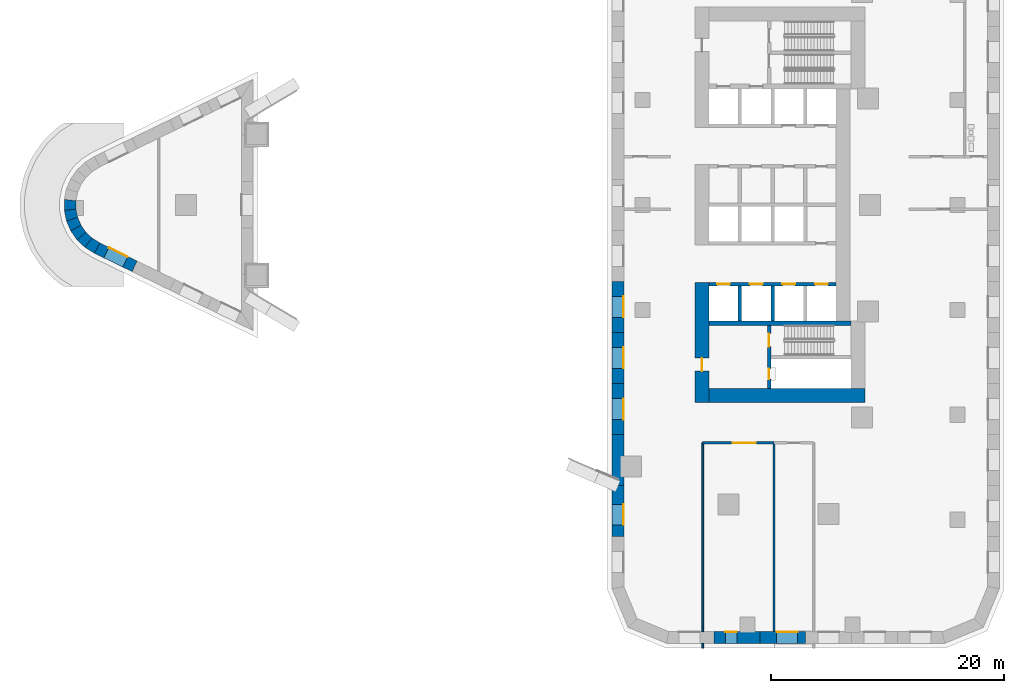
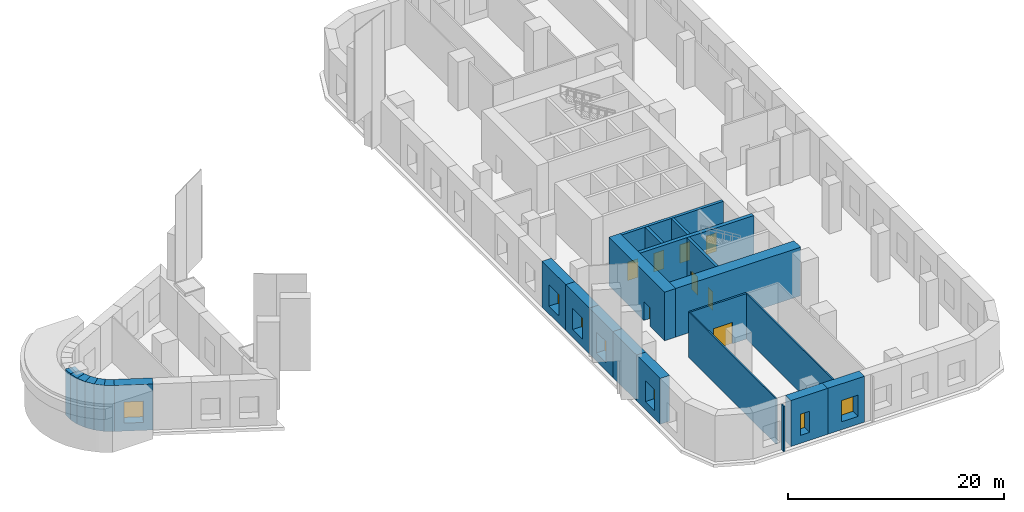
# One storey, part 2 of 13: 25 walls, 8 doors, 7 windows, 15 openings.
"""IFC4 building model written with IfcOpenShell, lengths in metres."""

from ifc_helpers import new_model, si_unit, direction, frame, frame_2d, origin, place, context, subcontext, project, spatial, polyline, rectangle, outline, extrude, material, layer, layer_set, type_object, element, fill, save


model = new_model("IFC4")

# Units and contexts
model_context = context("Model", 3, precision=1e-05, world=origin(), true_north=direction((0.0, 1.0)))
body_context = subcontext(model_context, "Body", "Model", "MODEL_VIEW")
ifc_project = project(units=[si_unit("LENGTHUNIT", "METRE"), si_unit("AREAUNIT", "SQUARE_METRE"), si_unit("VOLUMEUNIT", "CUBIC_METRE"), si_unit("PLANEANGLEUNIT", "RADIAN"), si_unit("MASSUNIT", "GRAM", prefix="KILO")], contexts=[model_context])

# Site, building, storey
site_placement = place(None, origin())
site = spatial("IfcSite", under=ifc_project, at=site_placement, CompositionType="ELEMENT")
building_placement = place(site_placement, origin())
building = spatial("IfcBuilding", under=site, at=building_placement, Name="Ostrand Prow Hotel Tower", CompositionType="ELEMENT")
storey_placement = place(building_placement, frame((0.0, 0.0, 13.5)))
storey = spatial("IfcBuildingStorey", under=building, at=storey_placement, Name="L02", CompositionType="ELEMENT", Elevation=13.5)

# Wall, opening, door
ifc_material_1 = material(Name="Concrete C80/95", Category="concrete")
ifc_layer_1 = layer(ifc_material_1, 1.199951171875)
ifc_layer_set_1 = layer_set([ifc_layer_1], Name="Concrete C80/95")
wall_type_1 = type_object("IfcWallType", Name="Core wall 1200 C80/95", PredefinedType="SHEAR", material=ifc_layer_set_1)
wall_1_placement = place(storey_placement, frame((50.10009765625, -16.949951171875, 0.0), z_axis=(0.0, 0.0, 1.0), x_axis=(0.0, 1.0, 0.0)))
wall_1 = element("IfcWall", 1, at=wall_1_placement, inside=storey, type_object=wall_type_1, Name="Core wall CW-W-S", PredefinedType="SHEAR", context=body_context, shape_type="SweptSolid", body=[
    extrude(rectangle(XDim=10.300048828125, YDim=1.199951171875, at=frame_2d((5.14990234375, 0.0))), origin(), (0.0, 0.0, 1.0), 5.5),
])
opening_1_placement = place(wall_1_placement, frame((2.699951171875, 0.0, 0.0)))
opening_1 = element("IfcOpeningElement", 2, at=opening_1_placement, cuts=wall_1, Name="Opening FD1", PredefinedType="OPENING", context=body_context, shape_type="SweptSolid", body=[
    extrude(rectangle(XDim=1.10009765625, YDim=2.10009765625, at=frame_2d((0.550048828125, 1.050048828125))), frame((0.0, 0.60986328125, 0.0), z_axis=(0.0, -1.0, 0.0), x_axis=(1.0, 0.0, 0.0)), (0.0, 0.0, 1.0), 1.219970703125),
])
ifc_material_2 = material(Name="Steel fire door", Category="steel")
door_type_1 = type_object("IfcDoorType", Name="Fire door 1100 EI120", OperationType="SINGLE_SWING_RIGHT", PredefinedType="DOOR", material=ifc_material_2)
door_1_placement = place(opening_1_placement, origin())
door_1 = element("IfcDoor", 3, at=door_1_placement, inside=storey, type_object=door_type_1, Name="FIRE DOOR", OperationType="SINGLE_SWING_RIGHT", OverallHeight=2.10009765625, OverallWidth=1.10009765625, PredefinedType="DOOR", context=body_context, shape_type="SweptSolid", body=[
    extrude(rectangle(XDim=1.10009765625, YDim=2.10009765625, at=frame_2d((0.550048828125, 1.050048828125))), frame((0.0, 0.02490234375, 0.0), z_axis=(0.0, -1.0, 0.0), x_axis=(1.0, 0.0, 0.0)), (0.0, 0.0, 1.0), 0.050048828125),
])
fill(opening_1, door_1)

# Wall
wall_2_placement = place(storey_placement, frame((50.699951171875, -16.35009765625, 0.0), z_axis=(0.0, 0.0, 1.0), x_axis=(1.0, 0.0, 0.0)))
element("IfcWall", 4, at=wall_2_placement, inside=storey, type_object=wall_type_1, Name="Core wall CW-S", PredefinedType="SHEAR", context=body_context, shape_type="SweptSolid", body=[
    extrude(rectangle(XDim=13.380126953125, YDim=1.199951171875, at=frame_2d((6.68994140625, 0.0))), origin(), (0.0, 0.0, 1.0), 5.5),
])

# Wall, openings, doors
ifc_material_3 = material(Name="Concrete C80/95", Category="concrete")
ifc_layer_2 = layer(ifc_material_3, 0.300048828125)
ifc_layer_set_2 = layer_set([ifc_layer_2], Name="Concrete C80/95")
wall_type_2 = type_object("IfcWallType", Name="Core wall 300 C80/95", PredefinedType="SHEAR", material=ifc_layer_set_2)
wall_3_placement = place(storey_placement, frame((50.699951171875, -6.800048828125, 0.0), z_axis=(0.0, 0.0, 1.0), x_axis=(1.0, 0.0, 0.0)))
wall_3 = element("IfcWall", 5, at=wall_3_placement, inside=storey, type_object=wall_type_2, Name="Core wall PW-L2-S", PredefinedType="SHEAR", context=body_context, shape_type="SweptSolid", body=[
    extrude(rectangle(XDim=10.900146484375, YDim=0.300048828125, at=frame_2d((5.4501953125, 0.0))), origin(), (0.0, 0.0, 1.0), 5.5),
])
opening_2_placement = place(wall_3_placement, frame((0.699951171875, 0.0, 0.0)))
opening_2 = element("IfcOpeningElement", 6, at=opening_2_placement, cuts=wall_3, Name="Opening LD", PredefinedType="OPENING", context=body_context, shape_type="SweptSolid", body=[
    extrude(rectangle(XDim=1.10009765625, YDim=2.10009765625, at=frame_2d((0.550048828125, 1.050048828125))), frame((0.0, 0.159912109375, 0.0), z_axis=(0.0, -1.0, 0.0), x_axis=(1.0, 0.0, 0.0)), (0.0, 0.0, 1.0), 0.320068359375),
])
opening_3_placement = place(wall_3_placement, frame((3.5, 0.0, 0.0)))
opening_3 = element("IfcOpeningElement", 7, at=opening_3_placement, cuts=wall_3, Name="Opening LD", PredefinedType="OPENING", context=body_context, shape_type="SweptSolid", body=[
    extrude(rectangle(XDim=1.10009765625, YDim=2.10009765625, at=frame_2d((0.550048828125, 1.050048828125))), frame((0.0, 0.159912109375, 0.0), z_axis=(0.0, -1.0, 0.0), x_axis=(1.0, 0.0, 0.0)), (0.0, 0.0, 1.0), 0.320068359375),
])
opening_4_placement = place(wall_3_placement, frame((6.300048828125, 0.0, 0.0)))
opening_4 = element("IfcOpeningElement", 8, at=opening_4_placement, cuts=wall_3, Name="Opening LD", PredefinedType="OPENING", context=body_context, shape_type="SweptSolid", body=[
    extrude(rectangle(XDim=1.10009765625, YDim=2.10009765625, at=frame_2d((0.550048828125, 1.050048828125))), frame((0.0, 0.159912109375, 0.0), z_axis=(0.0, -1.0, 0.0), x_axis=(1.0, 0.0, 0.0)), (0.0, 0.0, 1.0), 0.320068359375),
])
opening_5_placement = place(wall_3_placement, frame((9.10009765625, 0.0, 0.0)))
opening_5 = element("IfcOpeningElement", 9, at=opening_5_placement, cuts=wall_3, Name="Opening LD", PredefinedType="OPENING", context=body_context, shape_type="SweptSolid", body=[
    extrude(rectangle(XDim=1.10009765625, YDim=2.10009765625, at=frame_2d((0.550048828125, 1.050048828125))), frame((0.0, 0.159912109375, 0.0), z_axis=(0.0, -1.0, 0.0), x_axis=(1.0, 0.0, 0.0)), (0.0, 0.0, 1.0), 0.320068359375),
])
ifc_material_4 = material(Name="Stainless steel door", Category="steel")
door_type_2 = type_object("IfcDoorType", Name="Lift landing door 1100", OperationType="DOUBLE_DOOR_SLIDING", PredefinedType="DOOR", material=ifc_material_4)
door_2_placement = place(opening_2_placement, origin())
door_2 = element("IfcDoor", 10, at=door_2_placement, inside=storey, type_object=door_type_2, Name="LIFT LANDING DOOR", OperationType="DOUBLE_DOOR_SLIDING", OverallHeight=2.10009765625, OverallWidth=1.10009765625, PredefinedType="DOOR", context=body_context, shape_type="SweptSolid", body=[
    extrude(rectangle(XDim=1.10009765625, YDim=2.10009765625, at=frame_2d((0.550048828125, 1.050048828125))), frame((0.0, 0.02490234375, 0.0), z_axis=(0.0, -1.0, 0.0), x_axis=(1.0, 0.0, 0.0)), (0.0, 0.0, 1.0), 0.050048828125),
])
fill(opening_2, door_2)
door_3_placement = place(opening_3_placement, origin())
door_3 = element("IfcDoor", 11, at=door_3_placement, inside=storey, type_object=door_type_2, Name="LIFT LANDING DOOR", OperationType="DOUBLE_DOOR_SLIDING", OverallHeight=2.10009765625, OverallWidth=1.10009765625, PredefinedType="DOOR", context=body_context, shape_type="SweptSolid", body=[
    extrude(rectangle(XDim=1.10009765625, YDim=2.10009765625, at=frame_2d((0.550048828125, 1.050048828125))), frame((0.0, 0.02490234375, 0.0), z_axis=(0.0, -1.0, 0.0), x_axis=(1.0, 0.0, 0.0)), (0.0, 0.0, 1.0), 0.050048828125),
])
fill(opening_3, door_3)
door_4_placement = place(opening_4_placement, origin())
door_4 = element("IfcDoor", 12, at=door_4_placement, inside=storey, type_object=door_type_2, Name="LIFT LANDING DOOR", OperationType="DOUBLE_DOOR_SLIDING", OverallHeight=2.10009765625, OverallWidth=1.10009765625, PredefinedType="DOOR", context=body_context, shape_type="SweptSolid", body=[
    extrude(rectangle(XDim=1.10009765625, YDim=2.10009765625, at=frame_2d((0.550048828125, 1.050048828125))), frame((0.0, 0.02490234375, 0.0), z_axis=(0.0, -1.0, 0.0), x_axis=(1.0, 0.0, 0.0)), (0.0, 0.0, 1.0), 0.050048828125),
])
fill(opening_4, door_4)
door_5_placement = place(opening_5_placement, origin())
door_5 = element("IfcDoor", 13, at=door_5_placement, inside=storey, type_object=door_type_2, Name="LIFT LANDING DOOR", OperationType="DOUBLE_DOOR_SLIDING", OverallHeight=2.10009765625, OverallWidth=1.10009765625, PredefinedType="DOOR", context=body_context, shape_type="SweptSolid", body=[
    extrude(rectangle(XDim=1.10009765625, YDim=2.10009765625, at=frame_2d((0.550048828125, 1.050048828125))), frame((0.0, 0.02490234375, 0.0), z_axis=(0.0, -1.0, 0.0), x_axis=(1.0, 0.0, 0.0)), (0.0, 0.0, 1.0), 0.050048828125),
])
fill(opening_5, door_5)

# Walls
for number, where, z_axis, x_axis, name in (
    (14, (53.35009765625, -9.949951171875, 0.0), (0.0, 0.0, 1.0), (0.0, 1.0, 0.0), "Core wall PW-R1-SA"),
    (15, (56.14990234375, -9.949951171875, 0.0), (0.0, 0.0, 1.0), (0.0, 1.0, 0.0), "Core wall PW-R2-SA"),
):
    element("IfcWall", number, at=place(storey_placement, frame(where, z_axis=z_axis, x_axis=x_axis)), inside=storey, type_object=wall_type_2, Name=name, PredefinedType="SHEAR", context=body_context, shape_type="SweptSolid", body=[
        extrude(rectangle(XDim=3.0, YDim=0.300048828125, at=frame_2d((1.5, 0.0))), origin(), (0.0, 0.0, 1.0), 5.5),
    ])

# Wall, openings, doors
wall_4_placement = place(storey_placement, frame((55.85009765625, -15.75, 0.0), z_axis=(0.0, 0.0, 1.0), x_axis=(0.0, 1.0, 0.0)))
wall_4 = element("IfcWall", 16, at=wall_4_placement, inside=storey, type_object=wall_type_2, Name="Core wall PW-VS", PredefinedType="SHEAR", context=body_context, shape_type="SweptSolid", body=[
    extrude(rectangle(XDim=5.39990234375, YDim=0.300048828125, at=frame_2d((2.699951171875, 0.0))), origin(), (0.0, 0.0, 1.0), 5.5),
])
opening_6_placement = place(wall_4_placement, frame((3.60009765625, 0.0, 0.0)))
opening_6 = element("IfcOpeningElement", 17, at=opening_6_placement, cuts=wall_4, Name="Opening FD1", PredefinedType="OPENING", context=body_context, shape_type="SweptSolid", body=[
    extrude(rectangle(XDim=1.10009765625, YDim=2.10009765625, at=frame_2d((0.550048828125, 1.050048828125))), frame((0.0, 0.159912109375, 0.0), z_axis=(0.0, -1.0, 0.0), x_axis=(1.0, 0.0, 0.0)), (0.0, 0.0, 1.0), 0.320068359375),
])
opening_7_placement = place(wall_4_placement, frame((0.800048828125, 0.0, 0.0)))
opening_7 = element("IfcOpeningElement", 18, at=opening_7_placement, cuts=wall_4, Name="Opening FD2", PredefinedType="OPENING", context=body_context, shape_type="SweptSolid", body=[
    extrude(rectangle(XDim=0.89990234375, YDim=2.10009765625, at=frame_2d((0.449951171875, 1.050048828125))), frame((0.0, 0.159912109375, 0.0), z_axis=(0.0, -1.0, 0.0), x_axis=(1.0, 0.0, 0.0)), (0.0, 0.0, 1.0), 0.320068359375),
])
door_6_placement = place(opening_6_placement, origin())
door_6 = element("IfcDoor", 19, at=door_6_placement, inside=storey, type_object=door_type_1, Name="FIRE DOOR", OperationType="SINGLE_SWING_RIGHT", OverallHeight=2.10009765625, OverallWidth=1.10009765625, PredefinedType="DOOR", context=body_context, shape_type="SweptSolid", body=[
    extrude(rectangle(XDim=1.10009765625, YDim=2.10009765625, at=frame_2d((0.550048828125, 1.050048828125))), frame((0.0, 0.02490234375, 0.0), z_axis=(0.0, -1.0, 0.0), x_axis=(1.0, 0.0, 0.0)), (0.0, 0.0, 1.0), 0.050048828125),
])
fill(opening_6, door_6)
ifc_material_5 = material(Name="Steel fire door", Category="steel")
door_type_3 = type_object("IfcDoorType", Name="Fire door 900 EI120", OperationType="SINGLE_SWING_LEFT", PredefinedType="DOOR", material=ifc_material_5)
door_7_placement = place(opening_7_placement, origin())
door_7 = element("IfcDoor", 20, at=door_7_placement, inside=storey, type_object=door_type_3, Name="FIRE DOOR", OperationType="SINGLE_SWING_LEFT", OverallHeight=2.10009765625, OverallWidth=0.89990234375, PredefinedType="DOOR", context=body_context, shape_type="SweptSolid", body=[
    extrude(rectangle(XDim=0.89990234375, YDim=2.10009765625, at=frame_2d((0.449951171875, 1.050048828125))), frame((0.0, 0.02490234375, 0.0), z_axis=(0.0, -1.0, 0.0), x_axis=(1.0, 0.0, 0.0)), (0.0, 0.0, 1.0), 0.050048828125),
])
fill(opening_7, door_7)

# Walls
ifc_material_6 = material(Name="Concrete C80/95", Category="concrete")
ifc_layer_3 = layer(ifc_material_6, 0.39990234375)
ifc_layer_set_3 = layer_set([ifc_layer_3], Name="Concrete C80/95")
wall_type_3 = type_object("IfcWallType", Name="Core wall 400 C80/95", PredefinedType="SHEAR", material=ifc_layer_set_3)
wall_5_placement = place(storey_placement, frame((50.699951171875, -10.14990234375, 0.0), z_axis=(0.0, 0.0, 1.0), x_axis=(1.0, 0.0, 0.0)))
element("IfcWall", 21, at=wall_5_placement, inside=storey, type_object=wall_type_3, Name="Core wall PW-BS", PredefinedType="SHEAR", context=body_context, shape_type="SweptSolid", body=[
    extrude(rectangle(XDim=12.179931640625, YDim=0.39990234375, at=frame_2d((6.08984375, 0.0))), origin(), (0.0, 0.0, 1.0), 5.5),
])
ifc_material_7 = material(Name="Plasterboard partition")
ifc_layer_4 = layer(ifc_material_7, 0.14990234375)
ifc_layer_set_4 = layer_set([ifc_layer_4], Name="Plasterboard partition")
wall_type_4 = type_object("IfcWallType", Name="Partition 150 room partition", PredefinedType="PARTITIONING", material=ifc_layer_set_4)
wall_6_placement = place(storey_placement, frame((50.159912109375, -38.0, 0.0), z_axis=(0.0, 0.0, 1.0), x_axis=(0.0, 1.0, 0.0)))
element("IfcWall", 22, at=wall_6_placement, inside=storey, type_object=wall_type_4, Name="ROOM PARTITION", PredefinedType="PARTITIONING", context=body_context, shape_type="SweptSolid", body=[
    extrude(rectangle(XDim=0.39990234375, YDim=0.14990234375, at=frame_2d((0.199951171875, 0.0))), origin(), (0.0, 0.0, 1.0), 5.14990234375),
])
wall_7_placement = place(storey_placement, frame((50.159912109375, -36.60009765625, 0.0), z_axis=(0.0, 0.0, 1.0), x_axis=(0.0, 1.0, 0.0)))
element("IfcWall", 23, at=wall_7_placement, inside=storey, type_object=wall_type_4, Name="ROOM PARTITION", PredefinedType="PARTITIONING", context=body_context, shape_type="SweptSolid", body=[
    extrude(rectangle(XDim=16.2001953125, YDim=0.14990234375, at=frame_2d((8.10009765625, 0.0))), origin(), (0.0, 0.0, 1.0), 5.14990234375),
])
wall_8_placement = place(storey_placement, frame((56.280029296875, -36.570068359375, 0.0), z_axis=(0.0, 0.0, 1.0), x_axis=(0.0, 1.0, 0.0)))
element("IfcWall", 24, at=wall_8_placement, inside=storey, type_object=wall_type_4, Name="ROOM PARTITION", PredefinedType="PARTITIONING", context=body_context, shape_type="SweptSolid", body=[
    extrude(rectangle(XDim=16.170166015625, YDim=0.14990234375, at=frame_2d((8.0849609375, 0.0))), origin(), (0.0, 0.0, 1.0), 5.14990234375),
])

# Wall, opening, door
ifc_material_8 = material(Name="Plasterboard partition")
ifc_layer_5 = layer(ifc_material_8, 0.199951171875)
ifc_layer_set_5 = layer_set([ifc_layer_5], Name="Plasterboard partition")
wall_type_5 = type_object("IfcWallType", Name="Partition 200 corridor wall", PredefinedType="PARTITIONING", material=ifc_layer_set_5)
wall_9_placement = place(storey_placement, frame((50.159912109375, -20.39990234375, 0.0), z_axis=(0.0, 0.0, 1.0), x_axis=(1.0, 0.0, 0.0)))
wall_9 = element("IfcWall", 25, at=wall_9_placement, inside=storey, type_object=wall_type_5, Name="CORRIDOR WALL", PredefinedType="PARTITIONING", context=body_context, shape_type="SweptSolid", body=[
    extrude(rectangle(XDim=6.1201171875, YDim=0.199951171875, at=frame_2d((3.06005859375, 0.0))), origin(), (0.0, 0.0, 1.0), 5.14990234375),
])
opening_8_placement = place(wall_9_placement, frame((2.56005859375, 0.0, 0.0)))
opening_8 = element("IfcOpeningElement", 26, at=opening_8_placement, cuts=wall_9, Name="Opening D20", PredefinedType="OPENING", context=body_context, shape_type="SweptSolid", body=[
    extrude(rectangle(XDim=2.0, YDim=2.39990234375, at=frame_2d((1.0, 1.199951171875))), frame((0.0, 0.10986328125, 0.0), z_axis=(0.0, -1.0, 0.0), x_axis=(1.0, 0.0, 0.0)), (0.0, 0.0, 1.0), 0.219970703125),
])
ifc_material_9 = material(Name="Timber door leaf", Category="wood")
door_type_4 = type_object("IfcDoorType", Name="Double door 2000", OperationType="DOUBLE_DOOR_SINGLE_SWING", PredefinedType="DOOR", material=ifc_material_9)
door_8_placement = place(opening_8_placement, origin())
door_8 = element("IfcDoor", 27, at=door_8_placement, inside=storey, type_object=door_type_4, Name="DOOR", OperationType="DOUBLE_DOOR_SINGLE_SWING", OverallHeight=2.39990234375, OverallWidth=2.0, PredefinedType="DOOR", context=body_context, shape_type="SweptSolid", body=[
    extrude(rectangle(XDim=2.0, YDim=2.39990234375, at=frame_2d((1.0, 1.199951171875))), frame((0.0, 0.02490234375, 0.0), z_axis=(0.0, -1.0, 0.0), x_axis=(1.0, 0.0, 0.0)), (0.0, 0.0, 1.0), 0.050048828125),
])
fill(opening_8, door_8)

# Walls
ifc_material_10 = material(Name="Precast concrete C40/50", Category="concrete")
ifc_layer_6 = layer(ifc_material_10, 1.0)
ifc_layer_set_6 = layer_set([ifc_layer_6], Name="Precast concrete C40/50")
wall_type_6 = type_object("IfcWallType", Name="Portal pier wall 1000 mm", PredefinedType="NOTDEFINED", material=ifc_layer_set_6)
wall_10_placement = place(storey_placement, frame((-4.07421875, 0.415283203125, 0.0), z_axis=(0.0, 0.0, 1.0), x_axis=(0.0, -1.0, 0.0)))
element("IfcWall", 28, at=wall_10_placement, inside=storey, type_object=wall_type_6, Name="Portal pier wall L02-PP014", PredefinedType="NOTDEFINED", context=body_context, shape_type="SweptSolid", body=[
    extrude(outline(polyline([(-0.051025390625, -0.5), (0.881591796875, -0.5), (0.779541015625, 0.5), (0.051025390625, 0.5), (-0.051025390625, -0.5)])), origin(), (0.0, 0.0, 1.0), 5.199951171875),
])
wall_11_placement = place(storey_placement, frame((-4.07421875, -0.415283203125, 0.0), z_axis=(0.0, 0.0, 1.0), x_axis=(0.201710996138, -0.979445084748, 0.0)))
element("IfcWall", 29, at=wall_11_placement, inside=storey, type_object=wall_type_6, Name="Portal pier wall L02-PP015", PredefinedType="NOTDEFINED", context=body_context, shape_type="SweptSolid", body=[
    extrude(outline(polyline([(-0.051025390625, -0.5), (0.88134765625, -0.5), (0.779296875, 0.5), (0.051025390625, 0.5), (-0.051025390625, -0.5)])), origin(), (0.0, 0.0, 1.0), 5.199951171875),
])
wall_12_placement = place(storey_placement, frame((-3.90673828125, -1.228515625, 0.0), z_axis=(0.0, 0.0, 1.0), x_axis=(0.395089773053, -0.91864251547, 0.0)))
element("IfcWall", 30, at=wall_12_placement, inside=storey, type_object=wall_type_6, Name="Portal pier wall L02-PP016", PredefinedType="NOTDEFINED", context=body_context, shape_type="SweptSolid", body=[
    extrude(outline(polyline([(-0.051025390625, -0.5), (0.881591796875, -0.5), (0.779541015625, 0.5), (0.051025390625, 0.5), (-0.051025390625, -0.5)])), origin(), (0.0, 0.0, 1.0), 5.199951171875),
])
wall_13_placement = place(storey_placement, frame((-3.57861328125, -1.991455078125, 0.0), z_axis=(0.0, 0.0, 1.0), x_axis=(0.572416108775, -0.819963290895, 0.0)))
element("IfcWall", 31, at=wall_13_placement, inside=storey, type_object=wall_type_6, Name="Portal pier wall L02-PP017", PredefinedType="NOTDEFINED", context=body_context, shape_type="SweptSolid", body=[
    extrude(outline(polyline([(-0.051025390625, -0.5), (0.88134765625, -0.5), (0.779296875, 0.5), (0.051025390625, 0.5), (-0.051025390625, -0.5)])), origin(), (0.0, 0.0, 1.0), 5.199951171875),
])
wall_14_placement = place(storey_placement, frame((-3.103271484375, -2.67236328125, 0.0), z_axis=(0.0, 0.0, 1.0), x_axis=(0.726099436492, -0.687589709293, 0.0)))
element("IfcWall", 32, at=wall_14_placement, inside=storey, type_object=wall_type_6, Name="Portal pier wall L02-PP018", PredefinedType="NOTDEFINED", context=body_context, shape_type="SweptSolid", body=[
    extrude(outline(polyline([(-0.051025390625, -0.5), (0.881591796875, -0.5), (0.779541015625, 0.5), (0.051025390625, 0.5), (-0.051025390625, -0.5)])), origin(), (0.0, 0.0, 1.0), 5.199951171875),
])
wall_15_placement = place(storey_placement, frame((-2.500244140625, -3.243408203125, 0.0), z_axis=(0.0, 0.0, 1.0), x_axis=(0.849777890555, -0.527140907846, 0.0)))
element("IfcWall", 33, at=wall_15_placement, inside=storey, type_object=wall_type_6, Name="Portal pier wall L02-PP019", PredefinedType="NOTDEFINED", context=body_context, shape_type="SweptSolid", body=[
    extrude(outline(polyline([(-0.051025390625, -0.5), (0.901611328125, -0.5), (0.850830078125, 0.5), (0.051025390625, 0.5), (-0.051025390625, -0.5)])), origin(), (0.0, 0.0, 1.0), 5.199951171875),
])

# Wall, opening, window
wall_16_placement = place(storey_placement, frame((-1.755615234375, -3.705322265625, 0.0), z_axis=(0.0, 0.0, 1.0), x_axis=(0.898874723623, -0.438205695117, 0.0)))
wall_16 = element("IfcWall", 34, at=wall_16_placement, inside=storey, type_object=wall_type_6, Name="Portal pier wall L02-PP020", PredefinedType="NOTDEFINED", context=body_context, shape_type="SweptSolid", body=[
    extrude(outline(polyline([(-0.025390625, -0.5), (3.57568359375, -0.5), (3.57568359375, 0.5), (0.025390625, 0.5), (-0.025390625, -0.5)])), origin(), (0.0, 0.0, 1.0), 5.199951171875),
])
opening_9_placement = place(wall_16_placement, frame((0.8876953125, 0.0, 0.89990234375)))
opening_9 = element("IfcOpeningElement", 35, at=opening_9_placement, cuts=wall_16, Name="Opening WP2", PredefinedType="OPENING", context=body_context, shape_type="SweptSolid", body=[
    extrude(rectangle(XDim=1.800048828125, YDim=2.39990234375, at=frame_2d((0.89990234375, 1.199951171875))), frame((0.0, 0.510009765625, 0.0), z_axis=(0.0, -1.0, 0.0), x_axis=(1.0, 0.0, 0.0)), (0.0, 0.0, 1.0), 1.02001953125),
])
ifc_material_11 = material(Name="Insulated glass in bronze anodised frame", Category="glass")
window_type = type_object("IfcWindowType", Name="Portal window 1800x2400", PartitioningType="SINGLE_PANEL", PredefinedType="WINDOW", material=ifc_material_11)
window_1_placement = place(opening_9_placement, origin())
window_1 = element("IfcWindow", 36, at=window_1_placement, inside=storey, type_object=window_type, Name="Portal window L02-PP020", OverallHeight=2.39990234375, OverallWidth=1.800048828125, PartitioningType="SINGLE_PANEL", PredefinedType="WINDOW", context=body_context, shape_type="SweptSolid", body=[
    extrude(rectangle(XDim=1.800048828125, YDim=2.39990234375, at=frame_2d((0.89990234375, 1.199951171875))), frame((0.0, 0.5, 0.0), z_axis=(0.0, -1.0, 0.0), x_axis=(1.0, 0.0, 0.0)), (0.0, 0.0, 1.0), 0.06005859375),
])
fill(opening_9, window_1)

wall_17_placement = place(storey_placement, frame((51.119384765625, -37.10009765625, 0.0), z_axis=(0.0, 0.0, 1.0), x_axis=(1.0, 0.0, 0.0)))
wall_17 = element("IfcWall", 37, at=wall_17_placement, inside=storey, type_object=wall_type_6, Name="Portal pier wall L02-PP101", PredefinedType="NOTDEFINED", context=body_context, shape_type="SweptSolid", body=[
    extrude(outline(polyline([(0.0, -0.5), (3.9404296875, -0.5), (3.9404296875, 0.5), (0.0, 0.5), (0.0, -0.5)])), origin(), (0.0, 0.0, 1.0), 5.199951171875),
])
opening_10_placement = place(wall_17_placement, frame((1.0, 0.0, 0.89990234375)))
opening_10 = element("IfcOpeningElement", 38, at=opening_10_placement, cuts=wall_17, Name="Opening WP2", PredefinedType="OPENING", context=body_context, shape_type="SweptSolid", body=[
    extrude(rectangle(XDim=0.980712890625, YDim=2.39990234375, at=frame_2d((0.490234375, 1.199951171875))), frame((0.0, 0.510009765625, 0.0), z_axis=(0.0, -1.0, 0.0), x_axis=(1.0, 0.0, 0.0)), (0.0, 0.0, 1.0), 1.02001953125),
])
window_2_placement = place(opening_10_placement, origin())
window_2 = element("IfcWindow", 39, at=window_2_placement, inside=storey, type_object=window_type, Name="Portal window L02-PP101", OverallHeight=2.39990234375, OverallWidth=0.980712890625, PartitioningType="SINGLE_PANEL", PredefinedType="WINDOW", context=body_context, shape_type="SweptSolid", body=[
    extrude(rectangle(XDim=0.980712890625, YDim=2.39990234375, at=frame_2d((0.490234375, 1.199951171875))), frame((0.0, 0.5, 0.0), z_axis=(0.0, -1.0, 0.0), x_axis=(1.0, 0.0, 0.0)), (0.0, 0.0, 1.0), 0.06005859375),
])
fill(opening_10, window_2)

wall_18_placement = place(storey_placement, frame((55.059814453125, -37.10009765625, 0.0), z_axis=(0.0, 0.0, 1.0), x_axis=(1.0, 0.0, 0.0)))
wall_18 = element("IfcWall", 40, at=wall_18_placement, inside=storey, type_object=wall_type_6, Name="Portal pier wall L02-PP102", PredefinedType="NOTDEFINED", context=body_context, shape_type="SweptSolid", body=[
    extrude(outline(polyline([(0.0, -0.5), (3.940185546875, -0.5), (3.940185546875, 0.5), (0.0, 0.5), (0.0, -0.5)])), origin(), (0.0, 0.0, 1.0), 5.199951171875),
])
opening_11_placement = place(wall_18_placement, frame((1.4501953125, 0.0, 0.89990234375)))
opening_11 = element("IfcOpeningElement", 41, at=opening_11_placement, cuts=wall_18, Name="Opening WP2", PredefinedType="OPENING", context=body_context, shape_type="SweptSolid", body=[
    extrude(rectangle(XDim=1.800048828125, YDim=2.39990234375, at=frame_2d((0.89990234375, 1.199951171875))), frame((0.0, 0.510009765625, 0.0), z_axis=(0.0, -1.0, 0.0), x_axis=(1.0, 0.0, 0.0)), (0.0, 0.0, 1.0), 1.02001953125),
])
window_3_placement = place(opening_11_placement, origin())
window_3 = element("IfcWindow", 42, at=window_3_placement, inside=storey, type_object=window_type, Name="Portal window L02-PP102", OverallHeight=2.39990234375, OverallWidth=1.800048828125, PartitioningType="SINGLE_PANEL", PredefinedType="WINDOW", context=body_context, shape_type="SweptSolid", body=[
    extrude(rectangle(XDim=1.800048828125, YDim=2.39990234375, at=frame_2d((0.89990234375, 1.199951171875))), frame((0.0, 0.5, 0.0), z_axis=(0.0, -1.0, 0.0), x_axis=(1.0, 0.0, 0.0)), (0.0, 0.0, 1.0), 0.06005859375),
])
fill(opening_11, window_3)

wall_19_placement = place(storey_placement, frame((42.89990234375, -6.564208984375, 0.0), z_axis=(0.0, 0.0, 1.0), x_axis=(0.0, -1.0, 0.0)))
wall_19 = element("IfcWall", 43, at=wall_19_placement, inside=storey, type_object=wall_type_6, Name="Portal pier wall L02-PP142", PredefinedType="NOTDEFINED", context=body_context, shape_type="SweptSolid", body=[
    extrude(outline(polyline([(0.0, -0.5), (4.3759765625, -0.5), (4.3759765625, 0.5), (0.0, 0.5), (0.0, -0.5)])), origin(), (0.0, 0.0, 1.0), 5.199951171875),
])
opening_12_placement = place(wall_19_placement, frame((1.2880859375, 0.0, 0.89990234375)))
opening_12 = element("IfcOpeningElement", 44, at=opening_12_placement, cuts=wall_19, Name="Opening WP2", PredefinedType="OPENING", context=body_context, shape_type="SweptSolid", body=[
    extrude(rectangle(XDim=1.800048828125, YDim=2.39990234375, at=frame_2d((0.89990234375, 1.199951171875))), frame((0.0, 0.510009765625, 0.0), z_axis=(0.0, -1.0, 0.0), x_axis=(1.0, 0.0, 0.0)), (0.0, 0.0, 1.0), 1.02001953125),
])
window_4_placement = place(opening_12_placement, origin())
window_4 = element("IfcWindow", 45, at=window_4_placement, inside=storey, type_object=window_type, Name="Portal window L02-PP142", OverallHeight=2.39990234375, OverallWidth=1.800048828125, PartitioningType="SINGLE_PANEL", PredefinedType="WINDOW", context=body_context, shape_type="SweptSolid", body=[
    extrude(rectangle(XDim=1.800048828125, YDim=2.39990234375, at=frame_2d((0.89990234375, 1.199951171875))), frame((0.0, 0.5, 0.0), z_axis=(0.0, -1.0, 0.0), x_axis=(1.0, 0.0, 0.0)), (0.0, 0.0, 1.0), 0.06005859375),
])
fill(opening_12, window_4)

wall_20_placement = place(storey_placement, frame((42.89990234375, -10.940185546875, 0.0), z_axis=(0.0, 0.0, 1.0), x_axis=(0.0, -1.0, 0.0)))
wall_20 = element("IfcWall", 46, at=wall_20_placement, inside=storey, type_object=wall_type_6, Name="Portal pier wall L02-PP143", PredefinedType="NOTDEFINED", context=body_context, shape_type="SweptSolid", body=[
    extrude(outline(polyline([(0.0, -0.5), (4.376220703125, -0.5), (4.376220703125, 0.5), (0.0, 0.5), (0.0, -0.5)])), origin(), (0.0, 0.0, 1.0), 5.199951171875),
])
opening_13_placement = place(wall_20_placement, frame((1.2880859375, 0.0, 0.89990234375)))
opening_13 = element("IfcOpeningElement", 47, at=opening_13_placement, cuts=wall_20, Name="Opening WP2", PredefinedType="OPENING", context=body_context, shape_type="SweptSolid", body=[
    extrude(rectangle(XDim=1.800048828125, YDim=2.39990234375, at=frame_2d((0.89990234375, 1.199951171875))), frame((0.0, 0.510009765625, 0.0), z_axis=(0.0, -1.0, 0.0), x_axis=(1.0, 0.0, 0.0)), (0.0, 0.0, 1.0), 1.02001953125),
])
window_5_placement = place(opening_13_placement, origin())
window_5 = element("IfcWindow", 48, at=window_5_placement, inside=storey, type_object=window_type, Name="Portal window L02-PP143", OverallHeight=2.39990234375, OverallWidth=1.800048828125, PartitioningType="SINGLE_PANEL", PredefinedType="WINDOW", context=body_context, shape_type="SweptSolid", body=[
    extrude(rectangle(XDim=1.800048828125, YDim=2.39990234375, at=frame_2d((0.89990234375, 1.199951171875))), frame((0.0, 0.5, 0.0), z_axis=(0.0, -1.0, 0.0), x_axis=(1.0, 0.0, 0.0)), (0.0, 0.0, 1.0), 0.06005859375),
])
fill(opening_13, window_5)

wall_21_placement = place(storey_placement, frame((42.89990234375, -15.31640625, 0.0), z_axis=(0.0, 0.0, 1.0), x_axis=(0.0, -1.0, 0.0)))
wall_21 = element("IfcWall", 49, at=wall_21_placement, inside=storey, type_object=wall_type_6, Name="Portal pier wall L02-PP144", PredefinedType="NOTDEFINED", context=body_context, shape_type="SweptSolid", body=[
    extrude(outline(polyline([(0.0, -0.5), (4.376220703125, -0.5), (4.376220703125, 0.5), (0.0, 0.5), (0.0, -0.5)])), origin(), (0.0, 0.0, 1.0), 5.199951171875),
])
opening_14_placement = place(wall_21_placement, frame((1.2880859375, 0.0, 0.89990234375)))
opening_14 = element("IfcOpeningElement", 50, at=opening_14_placement, cuts=wall_21, Name="Opening WP2", PredefinedType="OPENING", context=body_context, shape_type="SweptSolid", body=[
    extrude(rectangle(XDim=1.800048828125, YDim=2.39990234375, at=frame_2d((0.89990234375, 1.199951171875))), frame((0.0, 0.510009765625, 0.0), z_axis=(0.0, -1.0, 0.0), x_axis=(1.0, 0.0, 0.0)), (0.0, 0.0, 1.0), 1.02001953125),
])
window_6_placement = place(opening_14_placement, origin())
window_6 = element("IfcWindow", 51, at=window_6_placement, inside=storey, type_object=window_type, Name="Portal window L02-PP144", OverallHeight=2.39990234375, OverallWidth=1.800048828125, PartitioningType="SINGLE_PANEL", PredefinedType="WINDOW", context=body_context, shape_type="SweptSolid", body=[
    extrude(rectangle(XDim=1.800048828125, YDim=2.39990234375, at=frame_2d((0.89990234375, 1.199951171875))), frame((0.0, 0.5, 0.0), z_axis=(0.0, -1.0, 0.0), x_axis=(1.0, 0.0, 0.0)), (0.0, 0.0, 1.0), 0.06005859375),
])
fill(opening_14, window_6)

# Wall
wall_22_placement = place(storey_placement, frame((42.89990234375, -19.692626953125, 0.0), z_axis=(0.0, 0.0, 1.0), x_axis=(0.0, -1.0, 0.0)))
element("IfcWall", 52, at=wall_22_placement, inside=storey, type_object=wall_type_6, Name="Portal pier wall L02-PP145", PredefinedType="NOTDEFINED", context=body_context, shape_type="SweptSolid", body=[
    extrude(outline(polyline([(0.0, -0.5), (4.3759765625, -0.5), (4.3759765625, 0.5), (0.0, 0.5), (0.0, -0.5)])), origin(), (0.0, 0.0, 1.0), 5.199951171875),
])

# Wall, opening, window
wall_23_placement = place(storey_placement, frame((42.89990234375, -24.068603515625, 0.0), z_axis=(0.0, 0.0, 1.0), x_axis=(0.0, -1.0, 0.0)))
wall_23 = element("IfcWall", 53, at=wall_23_placement, inside=storey, type_object=wall_type_6, Name="Portal pier wall L02-PP146", PredefinedType="NOTDEFINED", context=body_context, shape_type="SweptSolid", body=[
    extrude(outline(polyline([(0.0, -0.5), (4.376220703125, -0.5), (4.376220703125, 0.5), (0.0, 0.5), (0.0, -0.5)])), origin(), (0.0, 0.0, 1.0), 5.199951171875),
])
opening_15_placement = place(wall_23_placement, frame((1.615478515625, 0.0, 0.89990234375)))
opening_15 = element("IfcOpeningElement", 54, at=opening_15_placement, cuts=wall_23, Name="Opening WP2", PredefinedType="OPENING", context=body_context, shape_type="SweptSolid", body=[
    extrude(rectangle(XDim=1.760498046875, YDim=2.39990234375, at=frame_2d((0.88037109375, 1.199951171875))), frame((0.0, 0.510009765625, 0.0), z_axis=(0.0, -1.0, 0.0), x_axis=(1.0, 0.0, 0.0)), (0.0, 0.0, 1.0), 1.02001953125),
])
window_7_placement = place(opening_15_placement, origin())
window_7 = element("IfcWindow", 55, at=window_7_placement, inside=storey, type_object=window_type, Name="Portal window L02-PP146", OverallHeight=2.39990234375, OverallWidth=1.760498046875, PartitioningType="SINGLE_PANEL", PredefinedType="WINDOW", context=body_context, shape_type="SweptSolid", body=[
    extrude(rectangle(XDim=1.760498046875, YDim=2.39990234375, at=frame_2d((0.88037109375, 1.199951171875))), frame((0.0, 0.5, 0.0), z_axis=(0.0, -1.0, 0.0), x_axis=(1.0, 0.0, 0.0)), (0.0, 0.0, 1.0), 0.06005859375),
])
fill(opening_15, window_7)

save(model, "model.ifc")
